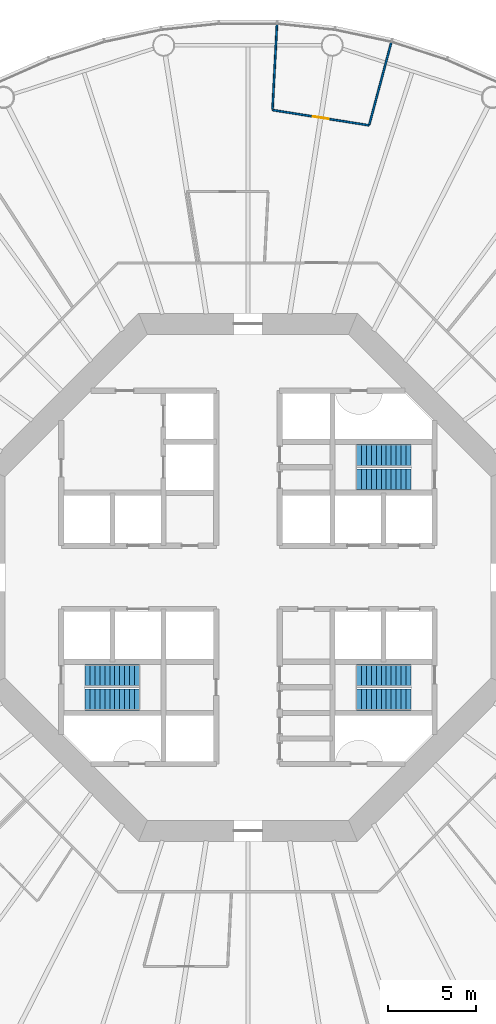
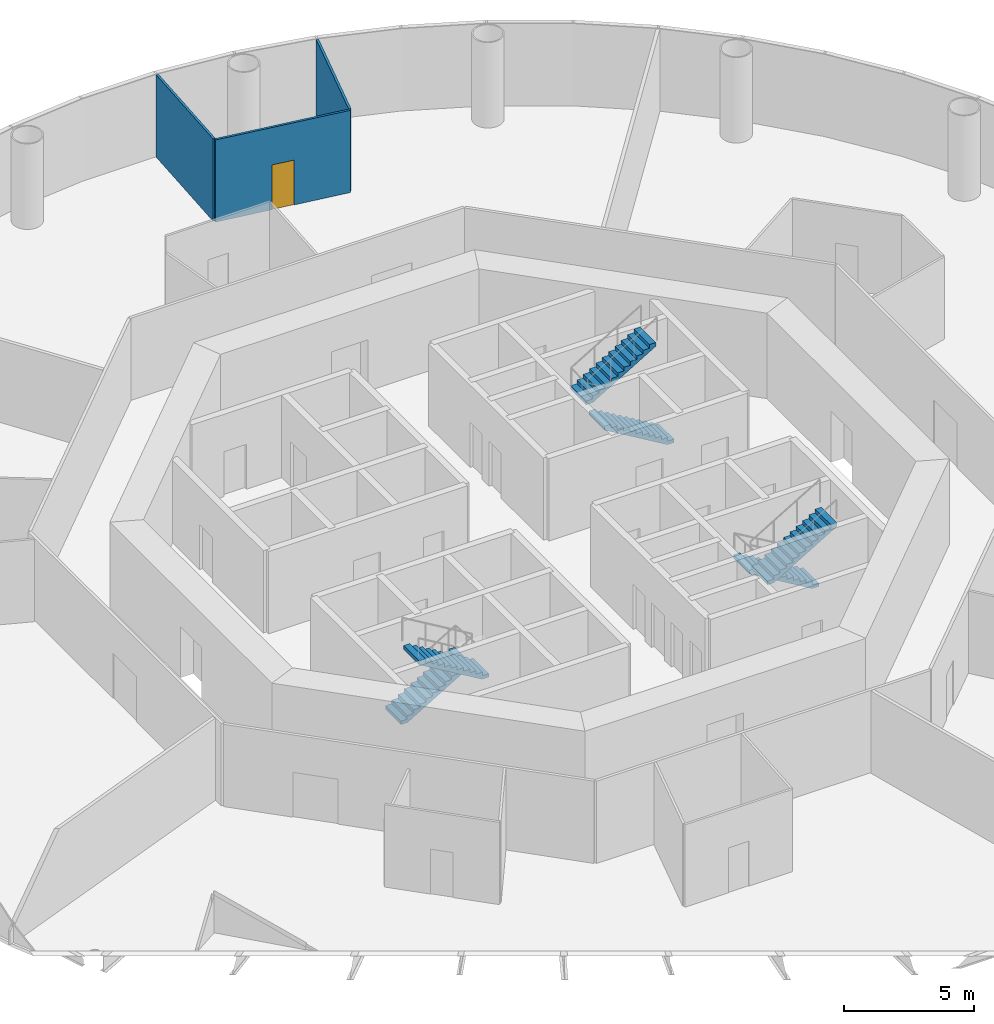
# One storey, part 6 of 13: 6 stair flights, 3 walls, 1 door, 1 opening, 3 elements without a shape of their own.
"""IFC4 building model written with IfcOpenShell, lengths in metres."""

from ifc_helpers import new_model, si_unit, direction, frame, frame_2d, origin, place, context, subcontext, project, spatial, polyline, rectangle, outline, extrude, material, layer, layer_set, type_object, element, fill, aggregate, save


model = new_model("IFC4")

# Units and contexts
model_context = context("Model", 3, precision=1e-05, world=origin(), true_north=direction((0.0, 1.0)))
body_context = subcontext(model_context, "Body", "Model", "MODEL_VIEW")
ifc_project = project(units=[si_unit("LENGTHUNIT", "METRE"), si_unit("AREAUNIT", "SQUARE_METRE"), si_unit("VOLUMEUNIT", "CUBIC_METRE"), si_unit("PLANEANGLEUNIT", "RADIAN"), si_unit("MASSUNIT", "GRAM", prefix="KILO")], contexts=[model_context])

# Site, building, storey
site_placement = place(None, origin())
site = spatial("IfcSite", under=ifc_project, at=site_placement, CompositionType="ELEMENT")
building_placement = place(site_placement, origin())
building = spatial("IfcBuilding", under=site, at=building_placement, Name="Entoto Ring Tower", CompositionType="ELEMENT")
storey_placement = place(building_placement, frame((0.0, 0.0, 124.0)))
storey = spatial("IfcBuildingStorey", under=building, at=storey_placement, Name="L28", CompositionType="ELEMENT", Elevation=124.0)

# Wall, opening, door
ifc_material_1 = material(Name="Plasterboard on steel studs", Category="steel")
ifc_layer = layer(ifc_material_1, 0.10009765625)
ifc_layer_set = layer_set([ifc_layer], Name="Plasterboard on steel studs")
wall_type = type_object("IfcWallType", Name="Partition 100 mm plasterboard on steel studs", PredefinedType="PARTITIONING", material=ifc_layer_set)
wall_1_placement = place(storey_placement, frame((96.87939453125, 105.67431640625, 0.0), z_axis=(0.0, 0.0, 1.0), x_axis=(-0.987684825381, 0.156456657615, 0.0)))
wall_1 = element("IfcWall", 1, at=wall_1_placement, inside=storey, type_object=wall_type, Name="partition-L28-017", PredefinedType="PARTITIONING", context=body_context, shape_type="SweptSolid", body=[
    extrude(rectangle(XDim=5.556640625, YDim=0.10009765625, at=frame_2d((2.7783203125, 0.0))), origin(), (0.0, 0.0, 1.0), 3.85009765625),
])
opening_placement = place(wall_1_placement, frame((2.328369140625, 0.0, 0.0)))
opening = element("IfcOpeningElement", 2, at=opening_placement, cuts=wall_1, Name="Opening A11-D06", PredefinedType="OPENING", context=body_context, shape_type="SweptSolid", body=[
    extrude(rectangle(XDim=0.89990234375, YDim=2.10009765625, at=frame_2d((0.449951171875, 1.050048828125))), frame((0.0, 0.06005859375, 0.0), z_axis=(0.0, -1.0, 0.0), x_axis=(1.0, 0.0, 0.0)), (0.0, 0.0, 1.0), 0.1201171875),
])
ifc_material_2 = material(Name="Veneered timber door leaf in timber frame", Category="wood")
door_type = type_object("IfcDoorType", Name="Door 900 x 2100 single leaf timber veneer", OperationType="NOTDEFINED", PredefinedType="DOOR", material=ifc_material_2)
door_placement = place(opening_placement, frame((0.89990234375, 0.0, 0.0), z_axis=(0.0, 0.0, 1.0), x_axis=(-1.0, 0.0, 0.0)))
door = element("IfcDoor", 3, at=door_placement, inside=storey, type_object=door_type, Name="Door A11-D06", OperationType="SINGLE_SWING_LEFT", OverallHeight=2.10009765625, OverallWidth=0.89990234375, PredefinedType="DOOR", context=body_context, shape_type="SweptSolid", body=[
    extrude(rectangle(XDim=0.89990234375, YDim=2.10009765625, at=frame_2d((0.449951171875, 1.050048828125))), frame((0.0, 0.02490234375, 0.0), z_axis=(0.0, -1.0, 0.0), x_axis=(1.0, 0.0, 0.0)), (0.0, 0.0, 1.0), 0.050048828125),
])
fill(opening, door)

# Walls
wall_2_placement = place(storey_placement, frame((96.892333984375, 105.722412109375, 0.0), z_axis=(0.0, 0.0, 1.0), x_axis=(0.258802892951, 0.9659301541, 0.0)))
element("IfcWall", 4, at=wall_2_placement, inside=storey, type_object=wall_type, Name="partition-L28-018", PredefinedType="PARTITIONING", context=body_context, shape_type="SweptSolid", body=[
    extrude(rectangle(XDim=4.81005859375, YDim=0.10009765625, at=frame_2d((2.405029296875, 0.0))), origin(), (0.0, 0.0, 1.0), 3.85009765625),
])
wall_3_placement = place(storey_placement, frame((91.393798828125, 106.59326171875, 0.0), z_axis=(0.0, 0.0, 1.0), x_axis=(0.052327075125, 0.998630000155, 0.0)))
element("IfcWall", 5, at=wall_3_placement, inside=storey, type_object=wall_type, Name="partition-L28-019", PredefinedType="PARTITIONING", context=body_context, shape_type="SweptSolid", body=[
    extrude(rectangle(XDim=4.810302734375, YDim=0.10009765625, at=frame_2d((2.4052734375, 0.0))), origin(), (0.0, 0.0, 1.0), 3.85009765625),
])

# Stair, stair flights
ifc_material_3 = material(Name="Concrete C40/50", Category="concrete")
stair_type = type_object("IfcStairType", Name="Exit stair 1200 mm dog-leg reinforced concrete", PredefinedType="HALF_TURN_STAIR", material=ifc_material_3)
stair_1_placement = place(storey_placement, origin())
stair_1 = element("IfcStair", 6, at=stair_1_placement, inside=storey, type_object=stair_type, Name="Exit stair 1", PredefinedType="HALF_TURN_STAIR")
ifc_material_4 = material(Name="Concrete C40/50", Category="concrete")
stair_flight_type = type_object("IfcStairFlightType", Name="Stair flight 1200 mm reinforced concrete", PredefinedType="STRAIGHT", material=ifc_material_4)
stair_flight_1_placement = place(storey_placement, frame((99.25, 85.550048828125, 0.0), z_axis=(0.0, 0.0, 1.0), x_axis=(-1.0, 0.0, 0.0)))
stair_flight_1 = element("IfcStairFlight", 7, at=stair_flight_1_placement, type_object=stair_flight_type, Name="ST1 flight 1", NumberOfRisers=12, NumberOfTreads=11, PredefinedType="STRAIGHT", RiserHeight=0.166666667, TreadLength=0.28, context=body_context, shape_type="SweptSolid", body=[
    extrude(outline(polyline([(0.0, 0.0), (0.0, 0.166748046875), (0.280029296875, 0.166748046875), (0.280029296875, 0.333251953125), (0.56005859375, 0.333251953125), (0.56005859375, 0.5), (0.840087890625, 0.5), (0.840087890625, 0.666748046875), (1.1201171875, 0.666748046875), (1.1201171875, 0.833251953125), (1.39990234375, 0.833251953125), (1.39990234375, 1.0), (1.679931640625, 1.0), (1.679931640625, 1.166748046875), (1.9599609375, 1.166748046875), (1.9599609375, 1.333251953125), (2.239990234375, 1.333251953125), (2.239990234375, 1.5), (2.52001953125, 1.5), (2.52001953125, 1.666748046875), (2.800048828125, 1.666748046875), (2.800048828125, 1.833251953125), (3.080078125, 1.833251953125), (3.080078125, 2.0), (3.080078125, 1.658935546875), (0.29296875, 0.0), (0.0, 0.0)])), frame((0.0, 0.60009765625, 0.0), z_axis=(0.0, -1.0, 0.0), x_axis=(1.0, 0.0, 0.0)), (0.0, 0.0, 1.0), 1.199951171875),
])
stair_flight_2_placement = place(storey_placement, frame((96.169921875, 86.949951171875, 2.0), z_axis=(0.0, 0.0, 1.0), x_axis=(1.0, 0.0, 0.0)))
stair_flight_2 = element("IfcStairFlight", 8, at=stair_flight_2_placement, type_object=stair_flight_type, Name="ST1 flight 2", NumberOfRisers=12, NumberOfTreads=11, PredefinedType="STRAIGHT", RiserHeight=0.166666667, TreadLength=0.28, context=body_context, shape_type="SweptSolid", body=[
    extrude(outline(polyline([(0.0, 0.0), (0.0, 0.166748046875), (0.280029296875, 0.166748046875), (0.280029296875, 0.333251953125), (0.56005859375, 0.333251953125), (0.56005859375, 0.5), (0.840087890625, 0.5), (0.840087890625, 0.666748046875), (1.1201171875, 0.666748046875), (1.1201171875, 0.833251953125), (1.39990234375, 0.833251953125), (1.39990234375, 1.0), (1.679931640625, 1.0), (1.679931640625, 1.166748046875), (1.9599609375, 1.166748046875), (1.9599609375, 1.333251953125), (2.239990234375, 1.333251953125), (2.239990234375, 1.5), (2.52001953125, 1.5), (2.52001953125, 1.666748046875), (2.800048828125, 1.666748046875), (2.800048828125, 1.833251953125), (3.080078125, 1.833251953125), (3.080078125, 2.0), (3.080078125, 1.658935546875), (0.29296875, 0.0), (0.0, 0.0)])), frame((0.0, 0.60009765625, 0.0), z_axis=(0.0, -1.0, 0.0), x_axis=(1.0, 0.0, 0.0)), (0.0, 0.0, 1.0), 1.199951171875),
])
aggregate(stair_1, [stair_flight_1, stair_flight_2])

stair_2_placement = place(storey_placement, origin())
stair_2 = element("IfcStair", 9, at=stair_2_placement, inside=storey, type_object=stair_type, Name="Exit stair 2", PredefinedType="HALF_TURN_STAIR")
stair_flight_3_placement = place(storey_placement, frame((80.75, 74.449951171875, 0.0), z_axis=(0.0, 0.0, 1.0), x_axis=(1.0, 0.0, 0.0)))
stair_flight_3 = element("IfcStairFlight", 10, at=stair_flight_3_placement, type_object=stair_flight_type, Name="ST2 flight 1", NumberOfRisers=12, NumberOfTreads=11, PredefinedType="STRAIGHT", RiserHeight=0.166666667, TreadLength=0.28, context=body_context, shape_type="SweptSolid", body=[
    extrude(outline(polyline([(0.0, 0.0), (0.0, 0.166748046875), (0.280029296875, 0.166748046875), (0.280029296875, 0.333251953125), (0.56005859375, 0.333251953125), (0.56005859375, 0.5), (0.840087890625, 0.5), (0.840087890625, 0.666748046875), (1.1201171875, 0.666748046875), (1.1201171875, 0.833251953125), (1.39990234375, 0.833251953125), (1.39990234375, 1.0), (1.679931640625, 1.0), (1.679931640625, 1.166748046875), (1.9599609375, 1.166748046875), (1.9599609375, 1.333251953125), (2.239990234375, 1.333251953125), (2.239990234375, 1.5), (2.52001953125, 1.5), (2.52001953125, 1.666748046875), (2.800048828125, 1.666748046875), (2.800048828125, 1.833251953125), (3.080078125, 1.833251953125), (3.080078125, 2.0), (3.080078125, 1.658935546875), (0.29296875, 0.0), (0.0, 0.0)])), frame((0.0, 0.60009765625, 0.0), z_axis=(0.0, -1.0, 0.0), x_axis=(1.0, 0.0, 0.0)), (0.0, 0.0, 1.0), 1.199951171875),
])
stair_flight_4_placement = place(storey_placement, frame((83.830078125, 73.050048828125, 2.0), z_axis=(0.0, 0.0, 1.0), x_axis=(-1.0, 0.0, 0.0)))
stair_flight_4 = element("IfcStairFlight", 11, at=stair_flight_4_placement, type_object=stair_flight_type, Name="ST2 flight 2", NumberOfRisers=12, NumberOfTreads=11, PredefinedType="STRAIGHT", RiserHeight=0.166666667, TreadLength=0.28, context=body_context, shape_type="SweptSolid", body=[
    extrude(outline(polyline([(0.0, 0.0), (0.0, 0.166748046875), (0.280029296875, 0.166748046875), (0.280029296875, 0.333251953125), (0.56005859375, 0.333251953125), (0.56005859375, 0.5), (0.840087890625, 0.5), (0.840087890625, 0.666748046875), (1.1201171875, 0.666748046875), (1.1201171875, 0.833251953125), (1.39990234375, 0.833251953125), (1.39990234375, 1.0), (1.679931640625, 1.0), (1.679931640625, 1.166748046875), (1.9599609375, 1.166748046875), (1.9599609375, 1.333251953125), (2.239990234375, 1.333251953125), (2.239990234375, 1.5), (2.52001953125, 1.5), (2.52001953125, 1.666748046875), (2.800048828125, 1.666748046875), (2.800048828125, 1.833251953125), (3.080078125, 1.833251953125), (3.080078125, 2.0), (3.080078125, 1.658935546875), (0.29296875, 0.0), (0.0, 0.0)])), frame((0.0, 0.60009765625, 0.0), z_axis=(0.0, -1.0, 0.0), x_axis=(1.0, 0.0, 0.0)), (0.0, 0.0, 1.0), 1.199951171875),
])
aggregate(stair_2, [stair_flight_3, stair_flight_4])

stair_3_placement = place(storey_placement, origin())
stair_3 = element("IfcStair", 12, at=stair_3_placement, inside=storey, type_object=stair_type, Name="Exit stair 3", PredefinedType="HALF_TURN_STAIR")
stair_flight_5_placement = place(storey_placement, frame((99.25, 74.449951171875, 0.0), z_axis=(0.0, 0.0, 1.0), x_axis=(-1.0, 0.0, 0.0)))
stair_flight_5 = element("IfcStairFlight", 13, at=stair_flight_5_placement, type_object=stair_flight_type, Name="ST3 flight 1", NumberOfRisers=12, NumberOfTreads=11, PredefinedType="STRAIGHT", RiserHeight=0.166666667, TreadLength=0.28, context=body_context, shape_type="SweptSolid", body=[
    extrude(outline(polyline([(0.0, 0.0), (0.0, 0.166748046875), (0.280029296875, 0.166748046875), (0.280029296875, 0.333251953125), (0.56005859375, 0.333251953125), (0.56005859375, 0.5), (0.840087890625, 0.5), (0.840087890625, 0.666748046875), (1.1201171875, 0.666748046875), (1.1201171875, 0.833251953125), (1.39990234375, 0.833251953125), (1.39990234375, 1.0), (1.679931640625, 1.0), (1.679931640625, 1.166748046875), (1.9599609375, 1.166748046875), (1.9599609375, 1.333251953125), (2.239990234375, 1.333251953125), (2.239990234375, 1.5), (2.52001953125, 1.5), (2.52001953125, 1.666748046875), (2.800048828125, 1.666748046875), (2.800048828125, 1.833251953125), (3.080078125, 1.833251953125), (3.080078125, 2.0), (3.080078125, 1.658935546875), (0.29296875, 0.0), (0.0, 0.0)])), frame((0.0, 0.60009765625, 0.0), z_axis=(0.0, -1.0, 0.0), x_axis=(1.0, 0.0, 0.0)), (0.0, 0.0, 1.0), 1.199951171875),
])
stair_flight_6_placement = place(storey_placement, frame((96.169921875, 73.050048828125, 2.0), z_axis=(0.0, 0.0, 1.0), x_axis=(1.0, 0.0, 0.0)))
stair_flight_6 = element("IfcStairFlight", 14, at=stair_flight_6_placement, type_object=stair_flight_type, Name="ST3 flight 2", NumberOfRisers=12, NumberOfTreads=11, PredefinedType="STRAIGHT", RiserHeight=0.166666667, TreadLength=0.28, context=body_context, shape_type="SweptSolid", body=[
    extrude(outline(polyline([(0.0, 0.0), (0.0, 0.166748046875), (0.280029296875, 0.166748046875), (0.280029296875, 0.333251953125), (0.56005859375, 0.333251953125), (0.56005859375, 0.5), (0.840087890625, 0.5), (0.840087890625, 0.666748046875), (1.1201171875, 0.666748046875), (1.1201171875, 0.833251953125), (1.39990234375, 0.833251953125), (1.39990234375, 1.0), (1.679931640625, 1.0), (1.679931640625, 1.166748046875), (1.9599609375, 1.166748046875), (1.9599609375, 1.333251953125), (2.239990234375, 1.333251953125), (2.239990234375, 1.5), (2.52001953125, 1.5), (2.52001953125, 1.666748046875), (2.800048828125, 1.666748046875), (2.800048828125, 1.833251953125), (3.080078125, 1.833251953125), (3.080078125, 2.0), (3.080078125, 1.658935546875), (0.29296875, 0.0), (0.0, 0.0)])), frame((0.0, 0.60009765625, 0.0), z_axis=(0.0, -1.0, 0.0), x_axis=(1.0, 0.0, 0.0)), (0.0, 0.0, 1.0), 1.199951171875),
])
aggregate(stair_3, [stair_flight_5, stair_flight_6])

save(model, "model.ifc")
